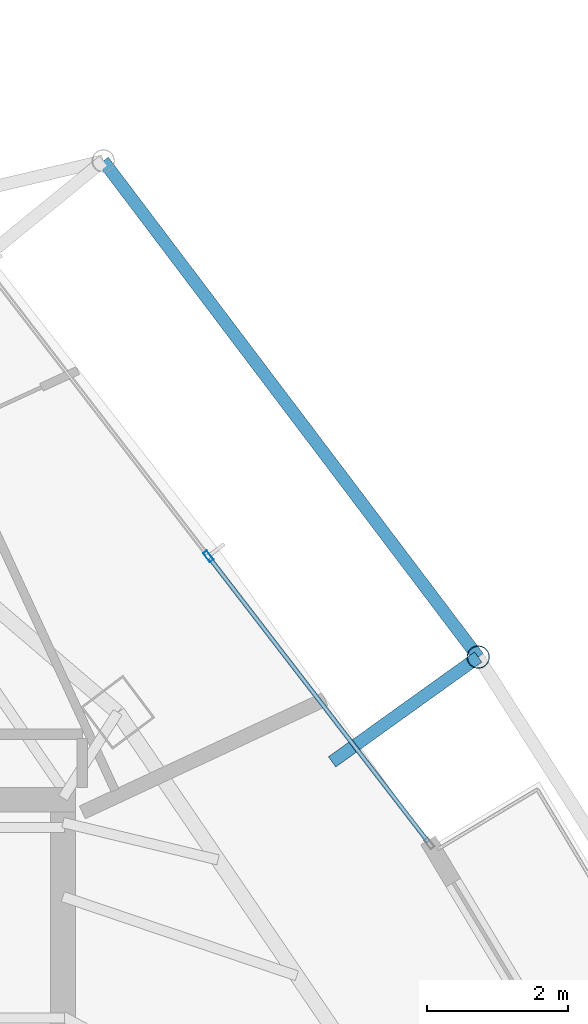
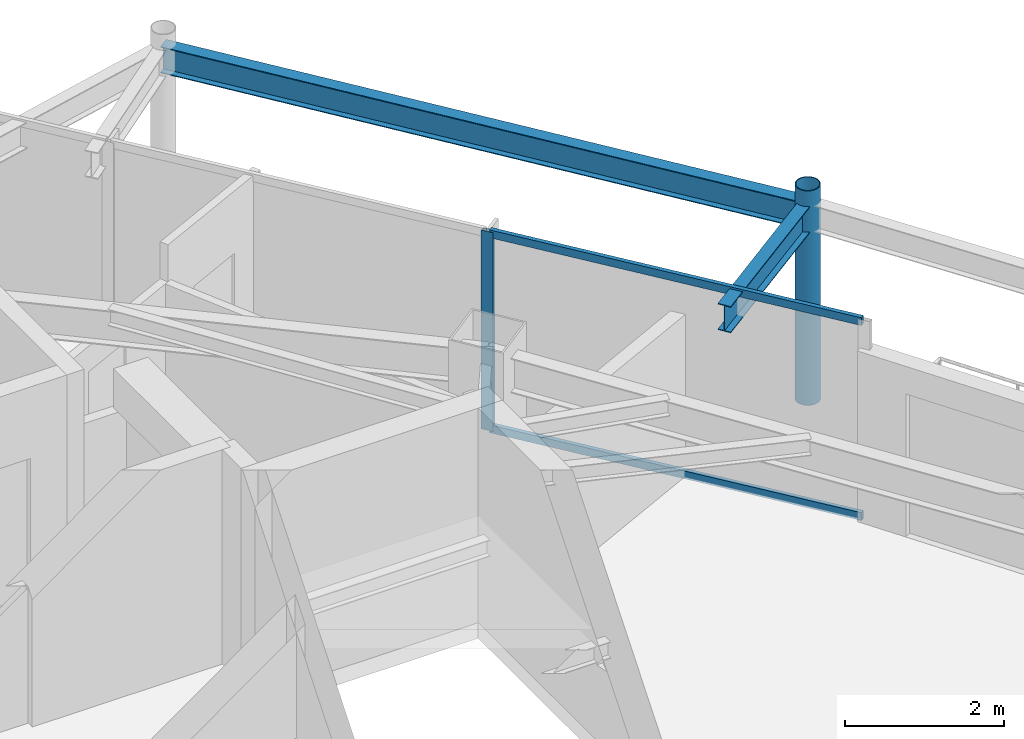
# One storey, part 27 of 34: 4 members, 2 beams, 1 element without a shape of its own.
"""IFC4 building model written with IfcOpenShell, lengths in metres."""

from ifc_helpers import new_model, si_unit, direction, frame, origin, origin_2d, place, context, subcontext, project, spatial, hollow_rectangle, hollow_circle, i_section, extrude, material, layer, layer_set, material_profile, profile_set, type_object, element, aggregate, save


model = new_model("IFC4")

# Units and contexts
model_context = context("Model", 3, precision=1e-05, world=origin(), true_north=direction((0.0, 1.0)))
body_context = subcontext(model_context, "Body", "Model", "MODEL_VIEW")
ifc_project = project(units=[si_unit("LENGTHUNIT", "METRE"), si_unit("AREAUNIT", "SQUARE_METRE"), si_unit("VOLUMEUNIT", "CUBIC_METRE"), si_unit("PLANEANGLEUNIT", "RADIAN"), si_unit("MASSUNIT", "GRAM", prefix="KILO")], contexts=[model_context])

# Site, building, storey
site_placement = place(None, origin())
site = spatial("IfcSite", under=ifc_project, at=site_placement, CompositionType="ELEMENT")
building_placement = place(site_placement, origin())
building = spatial("IfcBuilding", under=site, at=building_placement, Name="Orvanel Arch Residences", CompositionType="ELEMENT")
storey_placement = place(building_placement, frame((0.0, 0.0, 199.699951171875)))
storey = spatial("IfcBuildingStorey", under=building, at=storey_placement, Name="L56", CompositionType="ELEMENT", Elevation=199.699951171875)

# Curtain wall, member
ifc_material_1 = material(Name="Bronze-anodised aluminium AA6063-T6", Category="aluminium")
ifc_layer = layer(ifc_material_1, 0.175048828125)
ifc_layer_set = layer_set([ifc_layer], Name="Bronze-anodised aluminium AA6063-T6")
curtain_wall_type = type_object("IfcCurtainWallType", Name="CW4-HI-SYS", PredefinedType="NOTDEFINED", material=ifc_layer_set)
curtain_wall_placement = place(storey_placement, origin())
curtain_wall = element("IfcCurtainWall", 1, at=curtain_wall_placement, inside=storey, type_object=curtain_wall_type, Name="L56 CW4-HI-SYS Unitised Curtain Wall", PredefinedType="NOTDEFINED")
ifc_material_profile_1 = material_profile(ifc_material_1, hollow_rectangle(XDim=0.06494140625, YDim=0.159912109375, WallThickness=0.00390625, at=origin_2d()), Name="ALU160x65x4")
ifc_profile_set_1 = profile_set([ifc_material_profile_1], Name="Bronze-anodised aluminium AA6063-T6")
member_type_1 = type_object("IfcMemberType", Name="MUL-160x65", PredefinedType="MULLION", material=ifc_profile_set_1)
member_1_placement = place(storey_placement, frame((41.635986328125, 37.32470703125, 0.0), z_axis=(0.0, 0.0, 1.0), x_axis=(-0.792297867049, -0.610134485069, 0.0)))
member_1 = element("IfcMember", 2, at=member_1_placement, type_object=member_type_1, Name="CW-S4 mullion 2", PredefinedType="MULLION", context=body_context, shape_type="SweptSolid", body=[
    extrude(hollow_rectangle(XDim=0.06494140625, YDim=0.159912109375, WallThickness=0.00390625, at=origin_2d()), origin(), (0.0, 0.0, 1.0), 3.06005859375),
])

# Beams
ifc_material_2 = material(Name="Structural steel AS/NZS 3679.1 Grade 300 (300 MPa)", Category="steel")
ifc_material_profile_2 = material_profile(ifc_material_2, i_section(OverallWidth=0.177978515625, OverallDepth=0.406005859375, WebThickness=0.0078125, FlangeThickness=0.0126953125, at=origin_2d()), Name="410UB59.7")
ifc_profile_set_2 = profile_set([ifc_material_profile_2], Name="Structural steel AS/NZS 3679.1 Grade 300 (300 MPa)")
beam_type = type_object("IfcBeamType", Name="OB-410UB-EXT", PredefinedType="SPANDREL", material=ifc_profile_set_2)
beam_1_placement = place(storey_placement, frame((43.39111328125, 34.409912109375, 2.85693359375), z_axis=(0.812573742569, 0.582858398659, 0.0), x_axis=(-0.582858398659, 0.812573742569, 0.0)))
element("IfcBeam", 3, at=beam_1_placement, inside=storey, type_object=beam_type, Name="L56 Outer Frame Radial Tie Beam 11", PredefinedType="SPANDREL", context=body_context, shape_type="SweptSolid", body=[
    extrude(i_section(OverallWidth=0.177978515625, OverallDepth=0.406005859375, WebThickness=0.0078125, FlangeThickness=0.0126953125, at=origin_2d()), origin(), (0.0, 0.0, 1.0), 2.549560546875),
])
beam_2_placement = place(storey_placement, frame((45.462890625, 35.89599609375, 2.85693359375), z_axis=(-0.602880090841, 0.797831809386, 0.0), x_axis=(-0.797831809386, -0.602880090841, 0.0)))
element("IfcBeam", 4, at=beam_2_placement, inside=storey, type_object=beam_type, Name="L56 Outer Perimeter Floor Ring Beam 11", PredefinedType="SPANDREL", context=body_context, shape_type="SweptSolid", body=[
    extrude(i_section(OverallWidth=0.177978515625, OverallDepth=0.406005859375, WebThickness=0.0078125, FlangeThickness=0.0126953125, at=origin_2d()), origin(), (0.0, 0.0, 1.0), 8.817626953125),
])

# Member
ifc_material_3 = material(Name="Structural steel AS/NZS 1163 C350L0 (Grade 350)", Category="steel")
ifc_material_profile_3 = material_profile(ifc_material_3, hollow_circle(Radius=0.162109375, WallThickness=0.0126953125, at=origin_2d()), Name="CHS324x12.7")
ifc_profile_set_3 = profile_set([ifc_material_profile_3], Name="Structural steel AS/NZS 1163 C350L0 (Grade 350)")
member_type_2 = type_object("IfcMemberType", Name="ST-324CHS-EXT", PredefinedType="STRUT", material=ifc_profile_set_3)
member_2_placement = place(storey_placement, frame((45.462890625, 35.89599609375, 0.0), z_axis=(0.0, 0.0, 1.0), x_axis=(1.0, 0.0, 0.0)))
element("IfcMember", 5, at=member_2_placement, inside=storey, type_object=member_type_2, Name="L56 Outer Perimeter Frame Post 11", PredefinedType="STRUT", context=body_context, shape_type="SweptSolid", body=[
    extrude(hollow_circle(Radius=0.162109375, WallThickness=0.0126953125, at=origin_2d()), origin(), (0.0, 0.0, 1.0), 3.300048828125),
])

ifc_material_profile_4 = material_profile(ifc_material_1, hollow_rectangle(XDim=0.06005859375, YDim=0.1201171875, WallThickness=0.00341796875, at=origin_2d()), Name="ALU120x60x3.5")
ifc_profile_set_4 = profile_set([ifc_material_profile_4], Name="Bronze-anodised aluminium AA6063-T6")
member_type_3 = type_object("IfcMemberType", Name="TRN-120x60", PredefinedType="USERDEFINED", material=ifc_profile_set_4)
member_3_placement = place(storey_placement, frame((44.750244140625, 33.280517578125, 0.030029296875), z_axis=(-0.610141044028, 0.792292816068, 0.0), x_axis=(-0.792292816068, -0.610141044028, 0.0)))
member_3 = element("IfcMember", 6, at=member_3_placement, type_object=member_type_3, Name="CW-S4 transom 1.1", ObjectType="TRANSOM", PredefinedType="USERDEFINED", context=body_context, shape_type="SweptSolid", body=[
    extrude(hollow_rectangle(XDim=0.06005859375, YDim=0.1201171875, WallThickness=0.00341796875, at=origin_2d()), origin(), (0.0, 0.0, 1.0), 5.07177734375),
])

member_4_placement = place(storey_placement, frame((44.750244140625, 33.280517578125, 3.030029296875), z_axis=(-0.610141044028, 0.792292816068, 0.0), x_axis=(-0.792292816068, -0.610141044028, 0.0)))
member_4 = element("IfcMember", 7, at=member_4_placement, type_object=member_type_3, Name="CW-S4 transom 1.2", ObjectType="TRANSOM", PredefinedType="USERDEFINED", context=body_context, shape_type="SweptSolid", body=[
    extrude(hollow_rectangle(XDim=0.06005859375, YDim=0.1201171875, WallThickness=0.00341796875, at=origin_2d()), origin(), (0.0, 0.0, 1.0), 5.07177734375),
])

aggregate(curtain_wall, [member_1, member_3, member_4])

save(model, "model.ifc")
